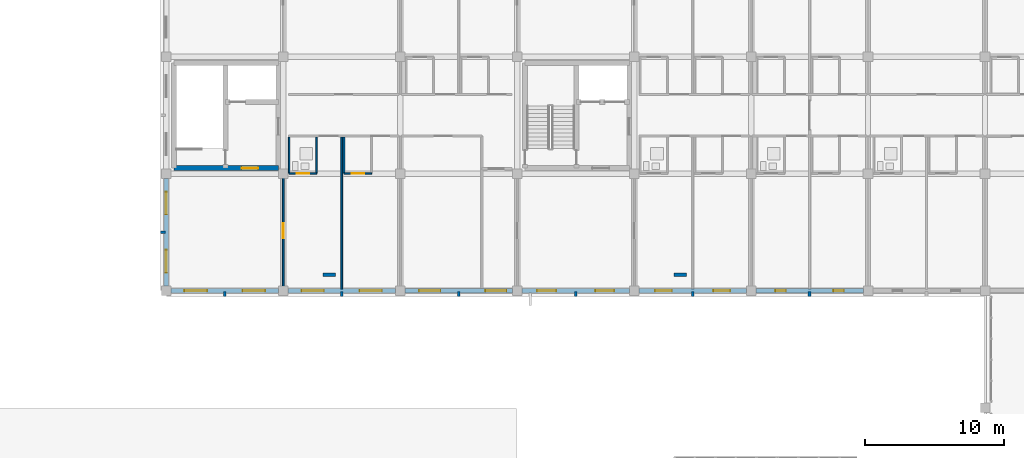
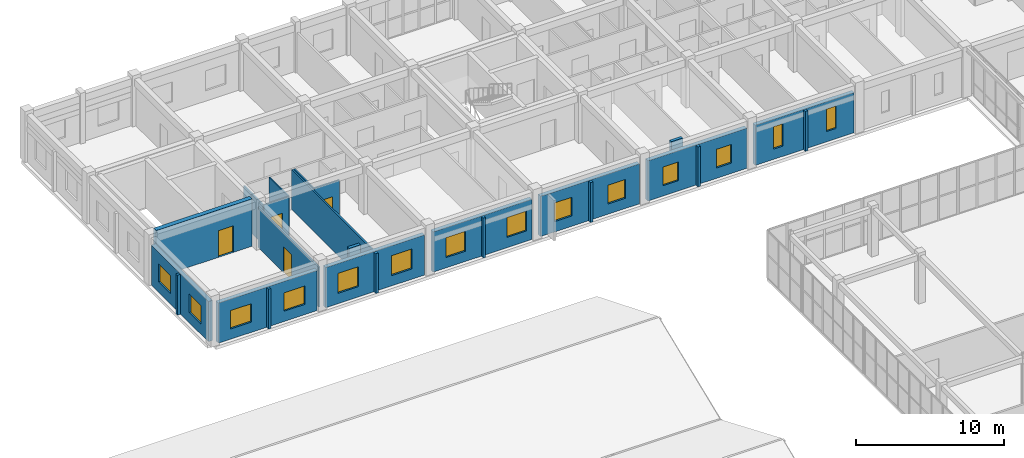
# One storey, part 115 of 140: 24 walls, 14 windows, 4 doors, 18 openings.
"""IFC4 building model written with IfcOpenShell, lengths in metres."""

import ifcopenshell
import ifcopenshell.guid

model = None  # the IFC model being written
_history = None  # IfcOwnerHistory: only IFC2X3 demands one
_inside = {}  # id of a spatial element -> (the spatial element, [elements in it])
_under = {}  # id of a project, library or spatial element -> (it, [spatial elements below it])
_declared = {}  # id of a project -> (the project, [libraries it declares])
_typed = {}  # id of a type object -> (the type object, [elements of that type])
_made_of = {}  # id of a material, layer set ... -> (it, [elements and type objects made of it])


def new_model(schema):
    """Start an empty IFC model of exactly this schema.

    Asked for "IFC4X3", IfcOpenShell would pick the latest addendum, in which some entities
    have other attributes; the version numbers below select the first issue.
    IFC2X3 requires an IfcOwnerHistory on every rooted entity: one is made here for all.
    """
    global model, _history
    if schema == "IFC4X3":
        model = ifcopenshell.file(schema_version=(4, 3, 0, 0))
    else:
        model = ifcopenshell.file(schema=schema)
    _inside.clear()
    _under.clear()
    _declared.clear()
    _typed.clear()
    _made_of.clear()
    _history = None
    if model.schema == "IFC2X3":
        org = make("IfcOrganization", Name="unknown")
        user = make(
            "IfcPersonAndOrganization",
            ThePerson=make("IfcPerson", FamilyName="unknown"),
            TheOrganization=org,
        )
        app = make(
            "IfcApplication",
            ApplicationDeveloper=org,
            Version="unknown",
            ApplicationFullName="unknown",
            ApplicationIdentifier="unknown",
        )
        _history = make(
            "IfcOwnerHistory",
            OwningUser=user,
            OwningApplication=app,
            ChangeAction="ADDED",
            CreationDate=0,
        )
    return model


def make(cls, **values):
    """One entity of the class cls with the attributes given. An attribute that is None is left unset."""
    return model.create_entity(
        cls, **{name: value for name, value in values.items() if value is not None}
    )


def rooted(cls, **values):
    """An entity with a GlobalId (a new one), such as an element, a storey or a relation."""
    return make(cls, GlobalId=ifcopenshell.guid.new(), OwnerHistory=_history, **values)


def si_unit(unit_type, name, prefix=None):
    """IfcSIUnit, for example si_unit("LENGTHUNIT", "METRE", prefix="MILLI")."""
    return make("IfcSIUnit", UnitType=unit_type, Prefix=prefix, Name=name)


def assignment(units):
    """IfcUnitAssignment: the units of a project."""
    return None if units is None else make("IfcUnitAssignment", Units=units)


def point(xyz):
    """IfcCartesianPoint."""
    return None if xyz is None else make("IfcCartesianPoint", Coordinates=xyz)


def direction(xyz):
    """IfcDirection."""
    return None if xyz is None else make("IfcDirection", DirectionRatios=xyz)


def frame(location, z_axis=None, x_axis=None):
    """IfcAxis2Placement3D, a coordinate frame: its origin and axes. An axis left out is left unset."""
    return make(
        "IfcAxis2Placement3D",
        Location=point(location),
        Axis=direction(z_axis),
        RefDirection=direction(x_axis),
    )


def frame_2d(location, x_axis=None):
    """IfcAxis2Placement2D, a coordinate frame in the plane: its origin and x axis."""
    return make(
        "IfcAxis2Placement2D", Location=point(location), RefDirection=direction(x_axis)
    )


def origin():
    """The frame at (0, 0, 0) with its axes left unset."""
    return frame((0.0, 0.0, 0.0))


def place(relative_to, where):
    """IfcLocalPlacement: puts the frame where relative to a parent placement (None: the world)."""
    return make(
        "IfcLocalPlacement", PlacementRelTo=relative_to, RelativePlacement=where
    )


def context(
    kind, dimensions, precision=None, world=None, true_north=None, identifier=None
):
    """IfcGeometricRepresentationContext, for example the 3D "Model" context."""
    return make(
        "IfcGeometricRepresentationContext",
        ContextIdentifier=identifier,
        ContextType=kind,
        CoordinateSpaceDimension=dimensions,
        Precision=precision,
        WorldCoordinateSystem=world,
        TrueNorth=true_north,
    )


def subcontext(parent, identifier, kind, view, scale=None):
    """IfcGeometricRepresentationSubContext, for example "Body" below "Model"."""
    return make(
        "IfcGeometricRepresentationSubContext",
        ContextIdentifier=identifier,
        ContextType=kind,
        ParentContext=parent,
        TargetScale=scale,
        TargetView=view,
    )


def project(units=None, contexts=None):
    """IfcProject with its units and contexts."""
    return rooted(
        "IfcProject",
        Name="project",
        RepresentationContexts=contexts,
        UnitsInContext=assignment(units),
    )


def spatial(cls, under=None, at=None, **own):
    """A site, building, storey or space (cls), placed at a placement, below another one or the project."""
    s = rooted(cls, ObjectPlacement=at, **own)
    if under is not None:
        _under.setdefault(under.id(), (under, []))[1].append(s)
    return s


def profile(cls, at=None, kind="AREA", **sizes):
    """A parametric profile (cls). Its sizes go by their IFC names, for example OverallWidth=200.0."""
    return make(cls, ProfileType=kind, Position=at, **sizes)


def rectangle(**sizes):
    """IfcRectangleProfileDef."""
    return profile("IfcRectangleProfileDef", **sizes)


def extrude(swept, where, along, depth):
    """IfcExtrudedAreaSolid: the profile swept, set in the frame where, extruded along a direction by depth."""
    return make(
        "IfcExtrudedAreaSolid",
        SweptArea=swept,
        Position=where,
        ExtrudedDirection=direction(along),
        Depth=depth,
    )


def shape(context_of_items, identifier, shape_type, items):
    """IfcShapeRepresentation: the items that make up one representation, for example the "Body"."""
    return make(
        "IfcShapeRepresentation",
        ContextOfItems=context_of_items,
        RepresentationIdentifier=identifier,
        RepresentationType=shape_type,
        Items=items,
    )


def material(Name=None, Category=None):
    """IfcMaterial."""
    return make("IfcMaterial", Name=Name, Category=Category)


def layer(
    of_material, thickness, ventilated=None, Name=None, Category=None, Priority=None
):
    """IfcMaterialLayer: one layer of a wall or slab, of a material (None: an air gap)."""
    return make(
        "IfcMaterialLayer",
        Material=of_material,
        LayerThickness=thickness,
        IsVentilated=ventilated,
        Name=Name,
        Category=Category,
        Priority=Priority,
    )


def layer_set(layers, Name=None):
    """IfcMaterialLayerSet."""
    return make("IfcMaterialLayerSet", MaterialLayers=layers, LayerSetName=Name)


def made_of(thing, what):
    """Note that an element or type object is made of a material, layer set ...; save() writes the relation."""
    if what is not None:
        _made_of.setdefault(what.id(), (what, []))[1].append(thing)
    return thing


def type_object(cls, material=None, **own):
    """A type object (cls), such as IfcWallType, which elements share."""
    return made_of(rooted(cls, **own), material)


def element(
    cls,
    number,
    at=None,
    inside=None,
    cuts=None,
    type_object=None,
    material=None,
    context=None,
    identifier="Body",
    shape_type=None,
    held_by="IfcProductDefinitionShape",
    body=None,
    shapes=None,
    **own,
):
    """One element of the class cls, such as IfcWall. Its Tag is "e" and its number.

    at: its placement. inside: the storey or other place that contains it. cuts: it is an
    opening in that element (IfcRelVoidsElement). A single representation is given by context,
    identifier, shape_type and body (its items); several are given by shapes. held_by: the class
    of the entity that holds the representations. save() writes the other relations.
    """
    e = rooted(cls, Tag="e%d" % number, ObjectPlacement=at, **own)
    if body is not None:
        shapes = [shape(context, identifier, shape_type, body)]
    if shapes is not None:
        e.Representation = make(held_by, Representations=shapes)
    if inside is not None:
        _inside.setdefault(inside.id(), (inside, []))[1].append(e)
    if cuts is not None:
        rooted(
            "IfcRelVoidsElement", RelatingBuildingElement=cuts, RelatedOpeningElement=e
        )
    if type_object is not None:
        _typed.setdefault(type_object.id(), (type_object, []))[1].append(e)
    return made_of(e, material)


def fill(opening, filler):
    """IfcRelFillsElement: the door or window that sits in an opening."""
    return rooted(
        "IfcRelFillsElement",
        RelatingOpeningElement=opening,
        RelatedBuildingElement=filler,
    )


def aggregate(whole, parts):
    """IfcRelAggregates: a whole, such as a stair, and the parts it consists of."""
    return rooted("IfcRelAggregates", RelatingObject=whole, RelatedObjects=parts)


def save(model, path):
    """Write the relations noted so far, then the file.

    IfcRelAggregates (storeys below a building ...), IfcRelContainedInSpatialStructure (elements
    in a storey), IfcRelDefinesByType, IfcRelAssociatesMaterial and IfcRelDeclares: one each for
    every whole, place, type object, material and project.
    """
    for whole, parts in _under.values():
        aggregate(whole, parts)
    for where, things in _inside.values():
        rooted(
            "IfcRelContainedInSpatialStructure",
            RelatedElements=things,
            RelatingStructure=where,
        )
    for kind, things in _typed.values():
        rooted("IfcRelDefinesByType", RelatedObjects=things, RelatingType=kind)
    for what, things in _made_of.values():
        rooted("IfcRelAssociatesMaterial", RelatedObjects=things, RelatingMaterial=what)
    for by, libraries in _declared.values():
        rooted("IfcRelDeclares", RelatingContext=by, RelatedDefinitions=libraries)
    model.write(path)


model = new_model("IFC4")

# Units and contexts
model_context = context("Model", 3, precision=1e-05, world=origin(), true_north=direction((0.0, 1.0)))
body_context = subcontext(model_context, "Body", "Model", "MODEL_VIEW")
ifc_project = project(units=[si_unit("LENGTHUNIT", "METRE"), si_unit("AREAUNIT", "SQUARE_METRE"), si_unit("VOLUMEUNIT", "CUBIC_METRE"), si_unit("PLANEANGLEUNIT", "RADIAN"), si_unit("MASSUNIT", "GRAM", prefix="KILO")], contexts=[model_context])

# Site, building, storey
site_placement = place(None, origin())
site = spatial("IfcSite", under=ifc_project, at=site_placement, CompositionType="ELEMENT")
building_placement = place(site_placement, origin())
building = spatial("IfcBuilding", under=site, at=building_placement, Name="Trelvath General Hospital", CompositionType="ELEMENT")
storey_placement = place(building_placement, frame((0.0, 0.0, 16.199951171875)))
storey = spatial("IfcBuildingStorey", under=building, at=storey_placement, Name="L04", CompositionType="ELEMENT", Elevation=16.199951171875)

# Walls
ifc_material_1 = material(Name="Precast concrete C40/50", Category="concrete")
ifc_layer_1 = layer(ifc_material_1, 0.199951171875)
ifc_layer_set_1 = layer_set([ifc_layer_1], Name="Precast concrete C40/50")
wall_type_1 = type_object("IfcWallType", Name="BriseSoleilRib 200", PredefinedType="ELEMENTEDWALL", material=ifc_layer_set_1)
wall_1_placement = place(storey_placement, frame((21.0, 92.324951171875, 0.0), z_axis=(0.0, 0.0, 1.0), x_axis=(0.0, -1.0, 0.0)))
element("IfcWall", 1, at=wall_1_placement, inside=storey, type_object=wall_type_1, Name="Precast Concrete Brise-Soleil Rib Fin L04-307", PredefinedType="ELEMENTEDWALL", context=body_context, shape_type="SweptSolid", body=[
    extrude(rectangle(XDim=0.33984375, YDim=0.199951171875, at=frame_2d((0.169921875, 0.0))), origin(), (0.0, 0.0, 1.0), 3.300048828125),
])
wall_2_placement = place(storey_placement, frame((16.72509765625, 96.60009765625, 0.0), z_axis=(0.0, 0.0, 1.0), x_axis=(-1.0, 0.0, 0.0)))
element("IfcWall", 2, at=wall_2_placement, inside=storey, type_object=wall_type_1, Name="Precast Concrete Brise-Soleil Rib Fin L04-308", PredefinedType="ELEMENTEDWALL", context=body_context, shape_type="SweptSolid", body=[
    extrude(rectangle(XDim=0.340087890625, YDim=0.199951171875, at=frame_2d((0.169921875, 0.0))), origin(), (0.0, 0.0, 1.0), 3.300048828125),
])
for number, where, z_axis, x_axis, name in (
    (3, (29.39990234375, 92.324951171875, 0.0), (0.0, 0.0, 1.0), (0.0, -1.0, 0.0), "Precast Concrete Brise-Soleil Rib Fin L04-314"),
    (4, (37.800048828125, 92.324951171875, 0.0), (0.0, 0.0, 1.0), (0.0, -1.0, 0.0), "Precast Concrete Brise-Soleil Rib Fin L04-318"),
    (5, (46.199951171875, 92.324951171875, 0.0), (0.0, 0.0, 1.0), (0.0, -1.0, 0.0), "Precast Concrete Brise-Soleil Rib Fin L04-321"),
    (6, (54.60009765625, 92.324951171875, 0.0), (0.0, 0.0, 1.0), (0.0, -1.0, 0.0), "Precast Concrete Brise-Soleil Rib Fin L04-324"),
    (7, (63.0, 92.324951171875, 0.0), (0.0, 0.0, 1.0), (0.0, -1.0, 0.0), "Precast Concrete Brise-Soleil Rib Fin L04-328"),
):
    element("IfcWall", number, at=place(storey_placement, frame(where, z_axis=z_axis, x_axis=x_axis)), inside=storey, type_object=wall_type_1, Name=name, PredefinedType="ELEMENTEDWALL", context=body_context, shape_type="SweptSolid", body=[
        extrude(rectangle(XDim=0.33984375, YDim=0.199951171875, at=frame_2d((0.169921875, 0.0))), origin(), (0.0, 0.0, 1.0), 3.300048828125),
    ])

# Wall, opening, door
ifc_material_2 = material(Name="Concrete C40/50", Category="concrete")
ifc_layer_2 = layer(ifc_material_2, 0.35009765625)
ifc_layer_set_2 = layer_set([ifc_layer_2], Name="Concrete C40/50")
wall_type_2 = type_object("IfcWallType", Name="CoreShearWall 350", PredefinedType="SHEAR", material=ifc_layer_set_2)
wall_3_placement = place(storey_placement, frame((17.35009765625, 101.199951171875, 0.0), z_axis=(0.0, 0.0, 1.0), x_axis=(1.0, 0.0, 0.0)))
wall_3 = element("IfcWall", 8, at=wall_3_placement, inside=storey, type_object=wall_type_2, Name="Core Shear Wall C3 S L04", PredefinedType="SHEAR", context=body_context, shape_type="SweptSolid", body=[
    extrude(rectangle(XDim=7.5, YDim=0.35009765625, at=frame_2d((3.75, 0.0))), origin(), (0.0, 0.0, 1.0), 3.920166015625),
])
opening_1_placement = place(wall_3_placement, frame((4.85009765625, 0.0, 0.0)))
opening_1 = element("IfcOpeningElement", 9, at=opening_1_placement, cuts=wall_3, Name="Opening FD-LS34", PredefinedType="OPENING", context=body_context, shape_type="SweptSolid", body=[
    extrude(rectangle(XDim=1.199951171875, YDim=2.199951171875, at=frame_2d((0.60009765625, 1.10009765625))), frame((0.0, 0.18505859375, 0.0), z_axis=(0.0, -1.0, 0.0), x_axis=(1.0, 0.0, 0.0)), (0.0, 0.0, 1.0), 0.3701171875),
])
ifc_material_3 = material(Name="Fire-rated steel door", Category="steel")
door_type_1 = type_object("IfcDoorType", Name="Door FireLobby 1200x2200", OperationType="NOTDEFINED", PredefinedType="DOOR", material=ifc_material_3)
door_1_placement = place(opening_1_placement, origin())
door_1 = element("IfcDoor", 10, at=door_1_placement, inside=storey, type_object=door_type_1, Name="Fire Lobby South Door C3 L04", OperationType="SINGLE_SWING_RIGHT", OverallHeight=2.199951171875, OverallWidth=1.199951171875, PredefinedType="DOOR", context=body_context, shape_type="SweptSolid", body=[
    extrude(rectangle(XDim=1.199951171875, YDim=2.199951171875, at=frame_2d((0.60009765625, 1.10009765625))), frame((0.0, 0.02490234375, 0.0), z_axis=(0.0, -1.0, 0.0), x_axis=(1.0, 0.0, 0.0)), (0.0, 0.0, 1.0), 0.050048828125),
])
fill(opening_1, door_1)

# Walls
ifc_material_4 = material(Name="Moisture-resistant tile partition")
ifc_layer_3 = layer(ifc_material_4, 0.110107421875)
ifc_layer_set_3 = layer_set([ifc_layer_3], Name="Moisture-resistant tile partition")
wall_type_3 = type_object("IfcWallType", Name="EnSuiteWetWall 110", PredefinedType="PARTITIONING", material=ifc_layer_set_3)
for number, where, z_axis, x_axis, name in (
    (11, (25.6201171875, 100.820068359375, 0.0), (0.0, 0.0, 1.0), (0.0, 1.0, 0.0), "En-Suite W Wall L04-1549"),
    (12, (27.60009765625, 100.820068359375, 0.0), (0.0, 0.0, 1.0), (0.0, 1.0, 0.0), "En-Suite E Wall L04-1550"),
):
    element("IfcWall", number, at=place(storey_placement, frame(where, z_axis=z_axis, x_axis=x_axis)), inside=storey, type_object=wall_type_3, Name=name, PredefinedType="PARTITIONING", context=body_context, shape_type="SweptSolid", body=[
        extrude(rectangle(XDim=2.60986328125, YDim=0.110107421875, at=frame_2d((1.304931640625, 0.0))), origin(), (0.0, 0.0, 1.0), 3.300048828125),
    ])

# Wall, opening, door
wall_4_placement = place(storey_placement, frame((25.6201171875, 100.820068359375, 0.0), z_axis=(0.0, 0.0, 1.0), x_axis=(1.0, 0.0, 0.0)))
wall_4 = element("IfcWall", 13, at=wall_4_placement, inside=storey, type_object=wall_type_3, Name="En-Suite Bathroom Partition L04-1551", PredefinedType="PARTITIONING", context=body_context, shape_type="SweptSolid", body=[
    extrude(rectangle(XDim=1.97998046875, YDim=0.110107421875, at=frame_2d((0.989990234375, 0.0))), origin(), (0.0, 0.0, 1.0), 3.300048828125),
])
opening_2_placement = place(wall_4_placement, frame((0.5400390625, 0.0, 0.0)))
opening_2 = element("IfcOpeningElement", 14, at=opening_2_placement, cuts=wall_4, Name="Opening D-4-1066", PredefinedType="OPENING", context=body_context, shape_type="SweptSolid", body=[
    extrude(rectangle(XDim=0.89990234375, YDim=2.10009765625, at=frame_2d((0.449951171875, 1.050048828125))), frame((0.0, 0.06494140625, 0.0), z_axis=(0.0, -1.0, 0.0), x_axis=(1.0, 0.0, 0.0)), (0.0, 0.0, 1.0), 0.130126953125),
])
ifc_material_5 = material(Name="Moisture-sealed timber leaf", Category="wood")
door_type_2 = type_object("IfcDoorType", Name="Door EnSuite 900x2100", OperationType="NOTDEFINED", PredefinedType="DOOR", material=ifc_material_5)
door_2_placement = place(opening_2_placement, origin())
door_2 = element("IfcDoor", 15, at=door_2_placement, inside=storey, type_object=door_type_2, Name="En-Suite Bathroom Door L04-1066", OperationType="SINGLE_SWING_RIGHT", OverallHeight=2.10009765625, OverallWidth=0.89990234375, PredefinedType="DOOR", context=body_context, shape_type="SweptSolid", body=[
    extrude(rectangle(XDim=0.89990234375, YDim=2.10009765625, at=frame_2d((0.449951171875, 1.050048828125))), frame((0.0, 0.02490234375, 0.0), z_axis=(0.0, -1.0, 0.0), x_axis=(1.0, 0.0, 0.0)), (0.0, 0.0, 1.0), 0.050048828125),
])
fill(opening_2, door_2)

# Wall
wall_5_placement = place(storey_placement, frame((29.56005859375, 100.820068359375, 0.0), z_axis=(0.0, 0.0, 1.0), x_axis=(0.0, 1.0, 0.0)))
element("IfcWall", 16, at=wall_5_placement, inside=storey, type_object=wall_type_3, Name="En-Suite W Wall L04-1552", PredefinedType="PARTITIONING", context=body_context, shape_type="SweptSolid", body=[
    extrude(rectangle(XDim=2.60986328125, YDim=0.110107421875, at=frame_2d((1.304931640625, 0.0))), origin(), (0.0, 0.0, 1.0), 3.300048828125),
])

# Wall, opening, door
wall_6_placement = place(storey_placement, frame((29.56005859375, 100.820068359375, 0.0), z_axis=(0.0, 0.0, 1.0), x_axis=(1.0, 0.0, 0.0)))
wall_6 = element("IfcWall", 17, at=wall_6_placement, inside=storey, type_object=wall_type_3, Name="En-Suite Bathroom Partition L04-1554", PredefinedType="PARTITIONING", context=body_context, shape_type="SweptSolid", body=[
    extrude(rectangle(XDim=1.97998046875, YDim=0.110107421875, at=frame_2d((0.989990234375, 0.0))), origin(), (0.0, 0.0, 1.0), 3.300048828125),
])
opening_3_placement = place(wall_6_placement, frame((0.5400390625, 0.0, 0.0)))
opening_3 = element("IfcOpeningElement", 18, at=opening_3_placement, cuts=wall_6, Name="Opening D-4-1067", PredefinedType="OPENING", context=body_context, shape_type="SweptSolid", body=[
    extrude(rectangle(XDim=0.89990234375, YDim=2.10009765625, at=frame_2d((0.449951171875, 1.050048828125))), frame((0.0, 0.06494140625, 0.0), z_axis=(0.0, -1.0, 0.0), x_axis=(1.0, 0.0, 0.0)), (0.0, 0.0, 1.0), 0.130126953125),
])
door_3_placement = place(opening_3_placement, origin())
door_3 = element("IfcDoor", 19, at=door_3_placement, inside=storey, type_object=door_type_2, Name="En-Suite Bathroom Door L04-1067", OperationType="SINGLE_SWING_LEFT", OverallHeight=2.10009765625, OverallWidth=0.89990234375, PredefinedType="DOOR", context=body_context, shape_type="SweptSolid", body=[
    extrude(rectangle(XDim=0.89990234375, YDim=2.10009765625, at=frame_2d((0.449951171875, 1.050048828125))), frame((0.0, 0.02490234375, 0.0), z_axis=(0.0, -1.0, 0.0), x_axis=(1.0, 0.0, 0.0)), (0.0, 0.0, 1.0), 0.050048828125),
])
fill(opening_3, door_3)

# Wall, openings, windows
ifc_material_6 = material(Name="Concrete C35/45", Category="concrete")
ifc_layer_4 = layer(ifc_material_6, 0.320068359375)
ifc_layer_set_4 = layer_set([ifc_layer_4], Name="Concrete C35/45")
wall_type_4 = type_object("IfcWallType", Name="ExtThermalWall 320", PredefinedType="SOLIDWALL", material=ifc_layer_set_4)
wall_7_placement = place(storey_placement, frame((24.864990234375, 92.39990234375, 0.0), z_axis=(0.0, 0.0, 1.0), x_axis=(-1.0, 0.0, 0.0)))
wall_7 = element("IfcWall", 20, at=wall_7_placement, inside=storey, type_object=wall_type_4, Name="Exterior Concrete Wall L04-425", PredefinedType="SOLIDWALL", context=body_context, shape_type="SweptSolid", body=[
    extrude(rectangle(XDim=7.72998046875, YDim=0.320068359375, at=frame_2d((3.864990234375, 0.0))), origin(), (0.0, 0.0, 1.0), 3.320068359375),
])
opening_4_placement = place(wall_7_placement, frame((0.968017578125, 0.0, 0.85009765625)))
opening_4 = element("IfcOpeningElement", 21, at=opening_4_placement, cuts=wall_7, Name="Opening WN-4-699", PredefinedType="OPENING", context=body_context, shape_type="SweptSolid", body=[
    extrude(rectangle(XDim=1.6201171875, YDim=1.52001953125, at=frame_2d((0.81005859375, 0.760009765625))), frame((0.0, 0.169921875, 0.0), z_axis=(0.0, -1.0, 0.0), x_axis=(1.0, 0.0, 0.0)), (0.0, 0.0, 1.0), 0.340087890625),
])
opening_5_placement = place(wall_7_placement, frame((5.14208984375, 0.0, 0.85009765625)))
opening_5 = element("IfcOpeningElement", 22, at=opening_5_placement, cuts=wall_7, Name="Opening WN-4-700", PredefinedType="OPENING", context=body_context, shape_type="SweptSolid", body=[
    extrude(rectangle(XDim=1.6201171875, YDim=1.52001953125, at=frame_2d((0.81005859375, 0.760009765625))), frame((0.0, 0.169921875, 0.0), z_axis=(0.0, -1.0, 0.0), x_axis=(1.0, 0.0, 0.0)), (0.0, 0.0, 1.0), 0.340087890625),
])
ifc_material_7 = material(Name="Low-E laminated glass", Category="glass")
window_type_1 = type_object("IfcWindowType", Name="Window Triage 1620x1520", PartitioningType="DOUBLE_PANEL_VERTICAL", PredefinedType="WINDOW", material=ifc_material_7)
window_1_placement = place(opening_4_placement, origin())
window_1 = element("IfcWindow", 23, at=window_1_placement, inside=storey, type_object=window_type_1, Name="Solar Reveal Window L04-699", OverallHeight=1.52001953125, OverallWidth=1.6201171875, PartitioningType="SINGLE_PANEL", PredefinedType="WINDOW", context=body_context, shape_type="SweptSolid", body=[
    extrude(rectangle(XDim=1.6201171875, YDim=1.52001953125, at=frame_2d((0.81005859375, 0.760009765625))), frame((0.0, 0.030029296875, 0.0), z_axis=(0.0, -1.0, 0.0), x_axis=(1.0, 0.0, 0.0)), (0.0, 0.0, 1.0), 0.06005859375),
])
fill(opening_4, window_1)
window_2_placement = place(opening_5_placement, origin())
window_2 = element("IfcWindow", 24, at=window_2_placement, inside=storey, type_object=window_type_1, Name="Solar Reveal Window L04-700", OverallHeight=1.52001953125, OverallWidth=1.6201171875, PartitioningType="SINGLE_PANEL", PredefinedType="WINDOW", context=body_context, shape_type="SweptSolid", body=[
    extrude(rectangle(XDim=1.6201171875, YDim=1.52001953125, at=frame_2d((0.81005859375, 0.760009765625))), frame((0.0, 0.030029296875, 0.0), z_axis=(0.0, -1.0, 0.0), x_axis=(1.0, 0.0, 0.0)), (0.0, 0.0, 1.0), 0.06005859375),
])
fill(opening_5, window_2)

wall_8_placement = place(storey_placement, frame((16.800048828125, 92.735107421875, 0.0), z_axis=(0.0, 0.0, 1.0), x_axis=(0.0, 1.0, 0.0)))
wall_8 = element("IfcWall", 25, at=wall_8_placement, inside=storey, type_object=wall_type_4, Name="Exterior Concrete Wall L04-426", PredefinedType="SOLIDWALL", context=body_context, shape_type="SweptSolid", body=[
    extrude(rectangle(XDim=7.72998046875, YDim=0.320068359375, at=frame_2d((3.864990234375, 0.0))), origin(), (0.0, 0.0, 1.0), 3.320068359375),
])
opening_6_placement = place(wall_8_placement, frame((0.968017578125, 0.0, 0.85009765625)))
opening_6 = element("IfcOpeningElement", 26, at=opening_6_placement, cuts=wall_8, Name="Opening WN-4-701", PredefinedType="OPENING", context=body_context, shape_type="SweptSolid", body=[
    extrude(rectangle(XDim=1.6201171875, YDim=1.52001953125, at=frame_2d((0.81005859375, 0.760009765625))), frame((0.0, 0.169921875, 0.0), z_axis=(0.0, -1.0, 0.0), x_axis=(1.0, 0.0, 0.0)), (0.0, 0.0, 1.0), 0.340087890625),
])
opening_7_placement = place(wall_8_placement, frame((5.14208984375, 0.0, 0.85009765625)))
opening_7 = element("IfcOpeningElement", 27, at=opening_7_placement, cuts=wall_8, Name="Opening WN-4-702", PredefinedType="OPENING", context=body_context, shape_type="SweptSolid", body=[
    extrude(rectangle(XDim=1.6201171875, YDim=1.52001953125, at=frame_2d((0.81005859375, 0.760009765625))), frame((0.0, 0.169921875, 0.0), z_axis=(0.0, -1.0, 0.0), x_axis=(1.0, 0.0, 0.0)), (0.0, 0.0, 1.0), 0.340087890625),
])
window_3_placement = place(opening_6_placement, origin())
window_3 = element("IfcWindow", 28, at=window_3_placement, inside=storey, type_object=window_type_1, Name="Solar Reveal Window L04-701", OverallHeight=1.52001953125, OverallWidth=1.6201171875, PartitioningType="SINGLE_PANEL", PredefinedType="WINDOW", context=body_context, shape_type="SweptSolid", body=[
    extrude(rectangle(XDim=1.6201171875, YDim=1.52001953125, at=frame_2d((0.81005859375, 0.760009765625))), frame((0.0, 0.030029296875, 0.0), z_axis=(0.0, -1.0, 0.0), x_axis=(1.0, 0.0, 0.0)), (0.0, 0.0, 1.0), 0.06005859375),
])
fill(opening_6, window_3)
window_4_placement = place(opening_7_placement, origin())
window_4 = element("IfcWindow", 29, at=window_4_placement, inside=storey, type_object=window_type_1, Name="Solar Reveal Window L04-702", OverallHeight=1.52001953125, OverallWidth=1.6201171875, PartitioningType="SINGLE_PANEL", PredefinedType="WINDOW", context=body_context, shape_type="SweptSolid", body=[
    extrude(rectangle(XDim=1.6201171875, YDim=1.52001953125, at=frame_2d((0.81005859375, 0.760009765625))), frame((0.0, 0.030029296875, 0.0), z_axis=(0.0, -1.0, 0.0), x_axis=(1.0, 0.0, 0.0)), (0.0, 0.0, 1.0), 0.06005859375),
])
fill(opening_7, window_4)

wall_9_placement = place(storey_placement, frame((33.264892578125, 92.39990234375, 0.0), z_axis=(0.0, 0.0, 1.0), x_axis=(-1.0, 0.0, 0.0)))
wall_9 = element("IfcWall", 30, at=wall_9_placement, inside=storey, type_object=wall_type_4, Name="Exterior Concrete Wall L04-432", PredefinedType="SOLIDWALL", context=body_context, shape_type="SweptSolid", body=[
    extrude(rectangle(XDim=7.72998046875, YDim=0.320068359375, at=frame_2d((3.864990234375, 0.0))), origin(), (0.0, 0.0, 1.0), 3.320068359375),
])
opening_8_placement = place(wall_9_placement, frame((0.977783203125, 0.0, 0.85009765625)))
opening_8 = element("IfcOpeningElement", 31, at=opening_8_placement, cuts=wall_9, Name="Opening WN-4-713", PredefinedType="OPENING", context=body_context, shape_type="SweptSolid", body=[
    extrude(rectangle(XDim=1.60009765625, YDim=1.64990234375, at=frame_2d((0.800048828125, 0.824951171875))), frame((0.0, 0.169921875, 0.0), z_axis=(0.0, -1.0, 0.0), x_axis=(1.0, 0.0, 0.0)), (0.0, 0.0, 1.0), 0.340087890625),
])
opening_9_placement = place(wall_9_placement, frame((5.152099609375, 0.0, 0.85009765625)))
opening_9 = element("IfcOpeningElement", 32, at=opening_9_placement, cuts=wall_9, Name="Opening WN-4-714", PredefinedType="OPENING", context=body_context, shape_type="SweptSolid", body=[
    extrude(rectangle(XDim=1.60009765625, YDim=1.64990234375, at=frame_2d((0.800048828125, 0.824951171875))), frame((0.0, 0.169921875, 0.0), z_axis=(0.0, -1.0, 0.0), x_axis=(1.0, 0.0, 0.0)), (0.0, 0.0, 1.0), 0.340087890625),
])
ifc_material_8 = material(Name="Low-E laminated glass", Category="glass")
window_type_2 = type_object("IfcWindowType", Name="Window WardNorth 1600x1650", PartitioningType="DOUBLE_PANEL_VERTICAL", PredefinedType="WINDOW", material=ifc_material_8)
window_5_placement = place(opening_8_placement, origin())
window_5 = element("IfcWindow", 33, at=window_5_placement, inside=storey, type_object=window_type_2, Name="Solar Reveal Window L04-713", OverallHeight=1.64990234375, OverallWidth=1.60009765625, PartitioningType="SINGLE_PANEL", PredefinedType="WINDOW", context=body_context, shape_type="SweptSolid", body=[
    extrude(rectangle(XDim=1.60009765625, YDim=1.64990234375, at=frame_2d((0.800048828125, 0.824951171875))), frame((0.0, 0.030029296875, 0.0), z_axis=(0.0, -1.0, 0.0), x_axis=(1.0, 0.0, 0.0)), (0.0, 0.0, 1.0), 0.06005859375),
])
fill(opening_8, window_5)
window_6_placement = place(opening_9_placement, origin())
window_6 = element("IfcWindow", 34, at=window_6_placement, inside=storey, type_object=window_type_2, Name="Solar Reveal Window L04-714", OverallHeight=1.64990234375, OverallWidth=1.60009765625, PartitioningType="SINGLE_PANEL", PredefinedType="WINDOW", context=body_context, shape_type="SweptSolid", body=[
    extrude(rectangle(XDim=1.60009765625, YDim=1.64990234375, at=frame_2d((0.800048828125, 0.824951171875))), frame((0.0, 0.030029296875, 0.0), z_axis=(0.0, -1.0, 0.0), x_axis=(1.0, 0.0, 0.0)), (0.0, 0.0, 1.0), 0.06005859375),
])
fill(opening_9, window_6)

wall_10_placement = place(storey_placement, frame((41.6650390625, 92.39990234375, 0.0), z_axis=(0.0, 0.0, 1.0), x_axis=(-1.0, 0.0, 0.0)))
wall_10 = element("IfcWall", 35, at=wall_10_placement, inside=storey, type_object=wall_type_4, Name="Exterior Concrete Wall L04-436", PredefinedType="SOLIDWALL", context=body_context, shape_type="SweptSolid", body=[
    extrude(rectangle(XDim=7.72998046875, YDim=0.320068359375, at=frame_2d((3.864990234375, 0.0))), origin(), (0.0, 0.0, 1.0), 3.320068359375),
])
opening_10_placement = place(wall_10_placement, frame((0.43994140625, 0.0, 0.85009765625)))
opening_10 = element("IfcOpeningElement", 36, at=opening_10_placement, cuts=wall_10, Name="Opening WN-4-721", PredefinedType="OPENING", context=body_context, shape_type="SweptSolid", body=[
    extrude(rectangle(XDim=1.52001953125, YDim=1.64990234375, at=frame_2d((0.760009765625, 0.824951171875))), frame((0.0, 0.169921875, 0.0), z_axis=(0.0, -1.0, 0.0), x_axis=(1.0, 0.0, 0.0)), (0.0, 0.0, 1.0), 0.340087890625),
])
opening_11_placement = place(wall_10_placement, frame((5.192138671875, 0.0, 0.85009765625)))
opening_11 = element("IfcOpeningElement", 37, at=opening_11_placement, cuts=wall_10, Name="Opening WN-4-722", PredefinedType="OPENING", context=body_context, shape_type="SweptSolid", body=[
    extrude(rectangle(XDim=1.52001953125, YDim=1.64990234375, at=frame_2d((0.760009765625, 0.824951171875))), frame((0.0, 0.169921875, 0.0), z_axis=(0.0, -1.0, 0.0), x_axis=(1.0, 0.0, 0.0)), (0.0, 0.0, 1.0), 0.340087890625),
])
ifc_material_9 = material(Name="Low-E laminated glass", Category="glass")
window_type_3 = type_object("IfcWindowType", Name="Window WardNorth 1520x1650", PartitioningType="DOUBLE_PANEL_VERTICAL", PredefinedType="WINDOW", material=ifc_material_9)
window_7_placement = place(opening_10_placement, origin())
window_7 = element("IfcWindow", 38, at=window_7_placement, inside=storey, type_object=window_type_3, Name="Solar Reveal Window L04-721", OverallHeight=1.64990234375, OverallWidth=1.52001953125, PartitioningType="SINGLE_PANEL", PredefinedType="WINDOW", context=body_context, shape_type="SweptSolid", body=[
    extrude(rectangle(XDim=1.52001953125, YDim=1.64990234375, at=frame_2d((0.760009765625, 0.824951171875))), frame((0.0, 0.030029296875, 0.0), z_axis=(0.0, -1.0, 0.0), x_axis=(1.0, 0.0, 0.0)), (0.0, 0.0, 1.0), 0.06005859375),
])
fill(opening_10, window_7)
window_8_placement = place(opening_11_placement, origin())
window_8 = element("IfcWindow", 39, at=window_8_placement, inside=storey, type_object=window_type_3, Name="Solar Reveal Window L04-722", OverallHeight=1.64990234375, OverallWidth=1.52001953125, PartitioningType="SINGLE_PANEL", PredefinedType="WINDOW", context=body_context, shape_type="SweptSolid", body=[
    extrude(rectangle(XDim=1.52001953125, YDim=1.64990234375, at=frame_2d((0.760009765625, 0.824951171875))), frame((0.0, 0.030029296875, 0.0), z_axis=(0.0, -1.0, 0.0), x_axis=(1.0, 0.0, 0.0)), (0.0, 0.0, 1.0), 0.06005859375),
])
fill(opening_11, window_8)

wall_11_placement = place(storey_placement, frame((50.06494140625, 92.39990234375, 0.0), z_axis=(0.0, 0.0, 1.0), x_axis=(-1.0, 0.0, 0.0)))
wall_11 = element("IfcWall", 40, at=wall_11_placement, inside=storey, type_object=wall_type_4, Name="Exterior Concrete Wall L04-439", PredefinedType="SOLIDWALL", context=body_context, shape_type="SweptSolid", body=[
    extrude(rectangle(XDim=7.72998046875, YDim=0.320068359375, at=frame_2d((3.864990234375, 0.0))), origin(), (0.0, 0.0, 1.0), 3.320068359375),
])
opening_12_placement = place(wall_11_placement, frame((1.102783203125, 0.0, 0.85009765625)))
opening_12 = element("IfcOpeningElement", 41, at=opening_12_placement, cuts=wall_11, Name="Opening WN-4-727", PredefinedType="OPENING", context=body_context, shape_type="SweptSolid", body=[
    extrude(rectangle(XDim=1.35009765625, YDim=1.550048828125, at=frame_2d((0.675048828125, 0.77490234375))), frame((0.0, 0.169921875, 0.0), z_axis=(0.0, -1.0, 0.0), x_axis=(1.0, 0.0, 0.0)), (0.0, 0.0, 1.0), 0.340087890625),
])
opening_13_placement = place(wall_11_placement, frame((5.277099609375, 0.0, 0.85009765625)))
opening_13 = element("IfcOpeningElement", 42, at=opening_13_placement, cuts=wall_11, Name="Opening WN-4-728", PredefinedType="OPENING", context=body_context, shape_type="SweptSolid", body=[
    extrude(rectangle(XDim=1.35009765625, YDim=1.550048828125, at=frame_2d((0.675048828125, 0.77490234375))), frame((0.0, 0.169921875, 0.0), z_axis=(0.0, -1.0, 0.0), x_axis=(1.0, 0.0, 0.0)), (0.0, 0.0, 1.0), 0.340087890625),
])
ifc_material_10 = material(Name="Low-E laminated glass", Category="glass")
window_type_4 = type_object("IfcWindowType", Name="Window WardSouth 1350x1550", PartitioningType="SINGLE_PANEL", PredefinedType="WINDOW", material=ifc_material_10)
window_9_placement = place(opening_12_placement, origin())
window_9 = element("IfcWindow", 43, at=window_9_placement, inside=storey, type_object=window_type_4, Name="Solar Reveal Window L04-727", OverallHeight=1.550048828125, OverallWidth=1.35009765625, PartitioningType="SINGLE_PANEL", PredefinedType="WINDOW", context=body_context, shape_type="SweptSolid", body=[
    extrude(rectangle(XDim=1.35009765625, YDim=1.550048828125, at=frame_2d((0.675048828125, 0.77490234375))), frame((0.0, 0.030029296875, 0.0), z_axis=(0.0, -1.0, 0.0), x_axis=(1.0, 0.0, 0.0)), (0.0, 0.0, 1.0), 0.06005859375),
])
fill(opening_12, window_9)
window_10_placement = place(opening_13_placement, origin())
window_10 = element("IfcWindow", 44, at=window_10_placement, inside=storey, type_object=window_type_4, Name="Solar Reveal Window L04-728", OverallHeight=1.550048828125, OverallWidth=1.35009765625, PartitioningType="SINGLE_PANEL", PredefinedType="WINDOW", context=body_context, shape_type="SweptSolid", body=[
    extrude(rectangle(XDim=1.35009765625, YDim=1.550048828125, at=frame_2d((0.675048828125, 0.77490234375))), frame((0.0, 0.030029296875, 0.0), z_axis=(0.0, -1.0, 0.0), x_axis=(1.0, 0.0, 0.0)), (0.0, 0.0, 1.0), 0.06005859375),
])
fill(opening_13, window_10)

wall_12_placement = place(storey_placement, frame((58.465087890625, 92.39990234375, 0.0), z_axis=(0.0, 0.0, 1.0), x_axis=(-1.0, 0.0, 0.0)))
wall_12 = element("IfcWall", 45, at=wall_12_placement, inside=storey, type_object=wall_type_4, Name="Exterior Concrete Wall L04-442", PredefinedType="SOLIDWALL", context=body_context, shape_type="SweptSolid", body=[
    extrude(rectangle(XDim=7.72998046875, YDim=0.320068359375, at=frame_2d((3.864990234375, 0.0))), origin(), (0.0, 0.0, 1.0), 3.320068359375),
])
opening_14_placement = place(wall_12_placement, frame((1.177978515625, 0.0, 0.85009765625)))
opening_14 = element("IfcOpeningElement", 46, at=opening_14_placement, cuts=wall_12, Name="Opening WN-4-733", PredefinedType="OPENING", context=body_context, shape_type="SweptSolid", body=[
    extrude(rectangle(XDim=1.199951171875, YDim=1.550048828125, at=frame_2d((0.60009765625, 0.77490234375))), frame((0.0, 0.169921875, 0.0), z_axis=(0.0, -1.0, 0.0), x_axis=(1.0, 0.0, 0.0)), (0.0, 0.0, 1.0), 0.340087890625),
])
opening_15_placement = place(wall_12_placement, frame((5.35205078125, 0.0, 0.85009765625)))
opening_15 = element("IfcOpeningElement", 47, at=opening_15_placement, cuts=wall_12, Name="Opening WN-4-734", PredefinedType="OPENING", context=body_context, shape_type="SweptSolid", body=[
    extrude(rectangle(XDim=1.199951171875, YDim=1.550048828125, at=frame_2d((0.60009765625, 0.77490234375))), frame((0.0, 0.169921875, 0.0), z_axis=(0.0, -1.0, 0.0), x_axis=(1.0, 0.0, 0.0)), (0.0, 0.0, 1.0), 0.340087890625),
])
ifc_material_11 = material(Name="Low-E laminated glass", Category="glass")
window_type_5 = type_object("IfcWindowType", Name="Window WardSouth 1200x1550", PartitioningType="SINGLE_PANEL", PredefinedType="WINDOW", material=ifc_material_11)
window_11_placement = place(opening_14_placement, origin())
window_11 = element("IfcWindow", 48, at=window_11_placement, inside=storey, type_object=window_type_5, Name="Solar Reveal Window L04-733", OverallHeight=1.550048828125, OverallWidth=1.199951171875, PartitioningType="SINGLE_PANEL", PredefinedType="WINDOW", context=body_context, shape_type="SweptSolid", body=[
    extrude(rectangle(XDim=1.199951171875, YDim=1.550048828125, at=frame_2d((0.60009765625, 0.77490234375))), frame((0.0, 0.030029296875, 0.0), z_axis=(0.0, -1.0, 0.0), x_axis=(1.0, 0.0, 0.0)), (0.0, 0.0, 1.0), 0.06005859375),
])
fill(opening_14, window_11)
window_12_placement = place(opening_15_placement, origin())
window_12 = element("IfcWindow", 49, at=window_12_placement, inside=storey, type_object=window_type_5, Name="Solar Reveal Window L04-734", OverallHeight=1.550048828125, OverallWidth=1.199951171875, PartitioningType="SINGLE_PANEL", PredefinedType="WINDOW", context=body_context, shape_type="SweptSolid", body=[
    extrude(rectangle(XDim=1.199951171875, YDim=1.550048828125, at=frame_2d((0.60009765625, 0.77490234375))), frame((0.0, 0.030029296875, 0.0), z_axis=(0.0, -1.0, 0.0), x_axis=(1.0, 0.0, 0.0)), (0.0, 0.0, 1.0), 0.06005859375),
])
fill(opening_15, window_12)

wall_13_placement = place(storey_placement, frame((66.864990234375, 92.39990234375, 0.0), z_axis=(0.0, 0.0, 1.0), x_axis=(-1.0, 0.0, 0.0)))
wall_13 = element("IfcWall", 50, at=wall_13_placement, inside=storey, type_object=wall_type_4, Name="Exterior Concrete Wall L04-446", PredefinedType="SOLIDWALL", context=body_context, shape_type="SweptSolid", body=[
    extrude(rectangle(XDim=7.72998046875, YDim=0.320068359375, at=frame_2d((3.864990234375, 0.0))), origin(), (0.0, 0.0, 1.0), 3.320068359375),
])
opening_16_placement = place(wall_13_placement, frame((1.40283203125, 0.0, 0.85009765625)))
opening_16 = element("IfcOpeningElement", 51, at=opening_16_placement, cuts=wall_13, Name="Opening WN-4-741", PredefinedType="OPENING", context=body_context, shape_type="SweptSolid", body=[
    extrude(rectangle(XDim=0.75, YDim=1.85009765625, at=frame_2d((0.375, 0.925048828125))), frame((0.0, 0.169921875, 0.0), z_axis=(0.0, -1.0, 0.0), x_axis=(1.0, 0.0, 0.0)), (0.0, 0.0, 1.0), 0.340087890625),
])
opening_17_placement = place(wall_13_placement, frame((5.5771484375, 0.0, 0.85009765625)))
opening_17 = element("IfcOpeningElement", 52, at=opening_17_placement, cuts=wall_13, Name="Opening WN-4-742", PredefinedType="OPENING", context=body_context, shape_type="SweptSolid", body=[
    extrude(rectangle(XDim=0.75, YDim=1.85009765625, at=frame_2d((0.375, 0.925048828125))), frame((0.0, 0.169921875, 0.0), z_axis=(0.0, -1.0, 0.0), x_axis=(1.0, 0.0, 0.0)), (0.0, 0.0, 1.0), 0.340087890625),
])
ifc_material_12 = material(Name="Low-E laminated glass", Category="glass")
window_type_6 = type_object("IfcWindowType", Name="Window SunSlot 750x1850", PartitioningType="SINGLE_PANEL", PredefinedType="WINDOW", material=ifc_material_12)
window_13_placement = place(opening_16_placement, origin())
window_13 = element("IfcWindow", 53, at=window_13_placement, inside=storey, type_object=window_type_6, Name="Solar Reveal Window L04-741", OverallHeight=1.85009765625, OverallWidth=0.75, PartitioningType="SINGLE_PANEL", PredefinedType="WINDOW", context=body_context, shape_type="SweptSolid", body=[
    extrude(rectangle(XDim=0.75, YDim=1.85009765625, at=frame_2d((0.375, 0.925048828125))), frame((0.0, 0.030029296875, 0.0), z_axis=(0.0, -1.0, 0.0), x_axis=(1.0, 0.0, 0.0)), (0.0, 0.0, 1.0), 0.06005859375),
])
fill(opening_16, window_13)
window_14_placement = place(opening_17_placement, origin())
window_14 = element("IfcWindow", 54, at=window_14_placement, inside=storey, type_object=window_type_6, Name="Solar Reveal Window L04-742", OverallHeight=1.85009765625, OverallWidth=0.75, PartitioningType="SINGLE_PANEL", PredefinedType="WINDOW", context=body_context, shape_type="SweptSolid", body=[
    extrude(rectangle(XDim=0.75, YDim=1.85009765625, at=frame_2d((0.375, 0.925048828125))), frame((0.0, 0.030029296875, 0.0), z_axis=(0.0, -1.0, 0.0), x_axis=(1.0, 0.0, 0.0)), (0.0, 0.0, 1.0), 0.06005859375),
])
fill(opening_17, window_14)

# Walls
ifc_material_13 = material(Name="Masonry service chase blockwork", Category="masonry")
ifc_layer_5 = layer(ifc_material_13, 0.239990234375)
ifc_layer_set_5 = layer_set([ifc_layer_5], Name="Masonry service chase blockwork")
wall_type_5 = type_object("IfcWallType", Name="PlumbingChaseWall 240", PredefinedType="PLUMBINGWALL", material=ifc_layer_set_5)
for number, where, z_axis, x_axis, name in (
    (55, (28.050048828125, 93.550048828125, 0.0), (0.0, 0.0, 1.0), (1.0, 0.0, 0.0), "Medical Gas Plumbing Chase L04-1555"),
    (56, (53.25, 93.550048828125, 0.0), (0.0, 0.0, 1.0), (1.0, 0.0, 0.0), "Medical Gas Plumbing Chase L04-1582"),
):
    element("IfcWall", number, at=place(storey_placement, frame(where, z_axis=z_axis, x_axis=x_axis)), inside=storey, type_object=wall_type_5, Name=name, PredefinedType="PLUMBINGWALL", context=body_context, shape_type="SweptSolid", body=[
        extrude(rectangle(XDim=0.89990234375, YDim=0.239990234375, at=frame_2d((0.449951171875, 0.0))), origin(), (0.0, 0.0, 1.0), 3.300048828125),
    ])

# Wall, opening, door
ifc_material_14 = material(Name="Gypsum acoustic steel-stud partition", Category="steel")
ifc_layer_6 = layer(ifc_material_14, 0.1298828125)
ifc_layer_set_6 = layer_set([ifc_layer_6], Name="Gypsum acoustic steel-stud partition")
wall_type_6 = type_object("IfcWallType", Name="WardPartition 130", PredefinedType="PARTITIONING", material=ifc_layer_set_6)
wall_14_placement = place(storey_placement, frame((25.199951171875, 92.5400390625, 0.0), z_axis=(0.0, 0.0, 1.0), x_axis=(0.0, 1.0, 0.0)))
wall_14 = element("IfcWall", 57, at=wall_14_placement, inside=storey, type_object=wall_type_6, Name="Inter-Bay Ward Partition S L04-1545", PredefinedType="PARTITIONING", context=body_context, shape_type="SweptSolid", body=[
    extrude(rectangle(XDim=8.2099609375, YDim=0.1298828125, at=frame_2d((4.10498046875, 0.0))), origin(), (0.0, 0.0, 1.0), 3.300048828125),
])
opening_18_placement = place(wall_14_placement, frame((3.639892578125, 0.0, 0.0)))
opening_18 = element("IfcOpeningElement", 58, at=opening_18_placement, cuts=wall_14, Name="Opening D-4-1062", PredefinedType="OPENING", context=body_context, shape_type="SweptSolid", body=[
    extrude(rectangle(XDim=1.080078125, YDim=2.14990234375, at=frame_2d((0.5400390625, 1.074951171875))), frame((0.0, 0.074951171875, 0.0), z_axis=(0.0, -1.0, 0.0), x_axis=(1.0, 0.0, 0.0)), (0.0, 0.0, 1.0), 0.14990234375),
])
ifc_material_15 = material(Name="Acoustic hospital timber leaf", Category="wood")
door_type_3 = type_object("IfcDoorType", Name="Door CleanSupply 1080x2150", OperationType="NOTDEFINED", PredefinedType="DOOR", material=ifc_material_15)
door_4_placement = place(opening_18_placement, origin())
door_4 = element("IfcDoor", 59, at=door_4_placement, inside=storey, type_object=door_type_3, Name="Clean Supply Connecting Door L04-1062", OperationType="SINGLE_SWING_RIGHT", OverallHeight=2.14990234375, OverallWidth=1.080078125, PredefinedType="DOOR", context=body_context, shape_type="SweptSolid", body=[
    extrude(rectangle(XDim=1.080078125, YDim=2.14990234375, at=frame_2d((0.5400390625, 1.074951171875))), frame((0.0, 0.02490234375, 0.0), z_axis=(0.0, -1.0, 0.0), x_axis=(1.0, 0.0, 0.0)), (0.0, 0.0, 1.0), 0.050048828125),
])
fill(opening_18, door_4)

# Wall
wall_15_placement = place(storey_placement, frame((29.39990234375, 92.5, 0.0), z_axis=(0.0, 0.0, 1.0), x_axis=(0.0, 1.0, 0.0)))
element("IfcWall", 60, at=wall_15_placement, inside=storey, type_object=wall_type_6, Name="Room Dividing Partition S L04-1548", PredefinedType="PARTITIONING", context=body_context, shape_type="SweptSolid", body=[
    extrude(rectangle(XDim=10.929931640625, YDim=0.1298828125, at=frame_2d((5.46484375, 0.0))), origin(), (0.0, 0.0, 1.0), 3.300048828125),
])

save(model, "model.ifc")
